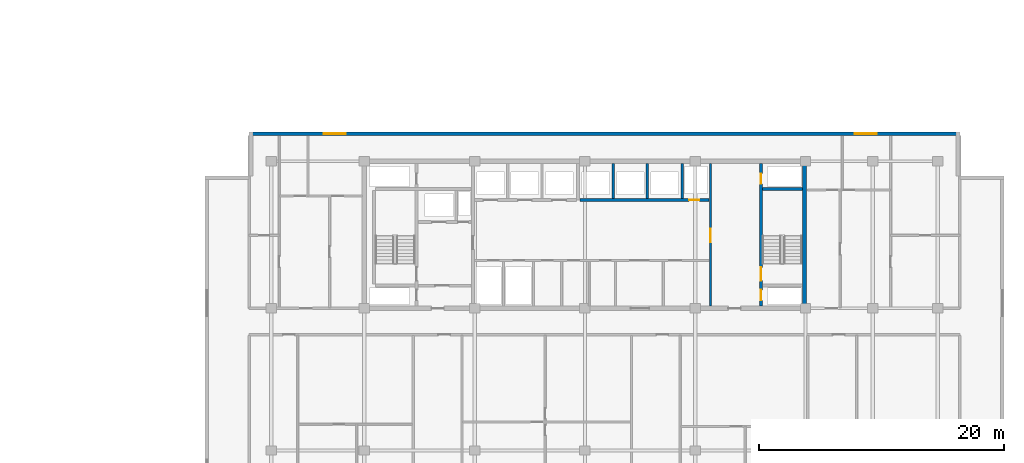
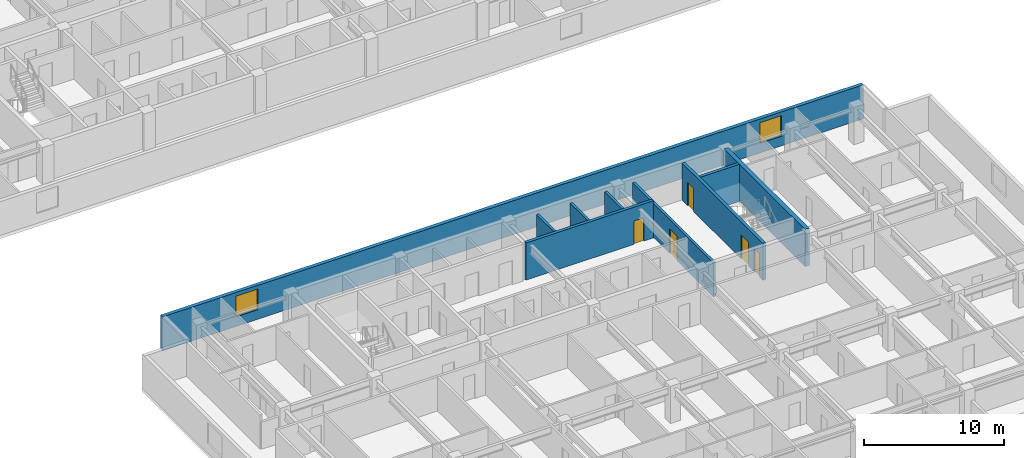
# One storey, part 8 of 22: 9 walls, 5 doors, 2 windows, 7 openings.
"""IFC4 building model written with IfcOpenShell, lengths in metres."""

from ifc_helpers import new_model, si_unit, direction, frame, frame_2d, origin, place, context, subcontext, project, spatial, rectangle, extrude, material, layer, layer_set, type_object, element, fill, save


model = new_model("IFC4")

# Units and contexts
model_context = context("Model", 3, precision=1e-05, world=origin(), true_north=direction((0.0, 1.0)))
body_context = subcontext(model_context, "Body", "Model", "MODEL_VIEW")
ifc_project = project(units=[si_unit("LENGTHUNIT", "METRE"), si_unit("AREAUNIT", "SQUARE_METRE"), si_unit("VOLUMEUNIT", "CUBIC_METRE"), si_unit("PLANEANGLEUNIT", "RADIAN"), si_unit("MASSUNIT", "GRAM", prefix="KILO")], contexts=[model_context])

# Site, building, storey
site_placement = place(None, origin())
site = spatial("IfcSite", under=ifc_project, at=site_placement, CompositionType="ELEMENT")
building_placement = place(site_placement, origin())
building = spatial("IfcBuilding", under=site, at=building_placement, Name="Korimba Cascade Residences", CompositionType="ELEMENT")
storey_placement = place(building_placement, frame((0.0, 0.0, 87.300048828125)))
storey = spatial("IfcBuildingStorey", under=building, at=storey_placement, Name="L24", CompositionType="ELEMENT", Elevation=87.300048828125)

# Wall, openings, windows
ifc_material_1 = material(Name="Precast concrete C40/50", Category="concrete")
ifc_layer_1 = layer(ifc_material_1, 0.300048828125)
ifc_layer_set_1 = layer_set([ifc_layer_1], Name="Precast concrete C40/50")
wall_type_1 = type_object("IfcWallType", Name="EW-STONE-300", PredefinedType="STANDARD", material=ifc_layer_set_1)
wall_1_placement = place(storey_placement, frame((130.699951171875, 32.64990234375, 0.0), z_axis=(0.0, 0.0, 1.0), x_axis=(-1.0, 0.0, 0.0)))
wall_1 = element("IfcWall", 1, at=wall_1_placement, inside=storey, type_object=wall_type_1, Name="L24 T2 Perimeter Stone Wall E06", PredefinedType="STANDARD", context=body_context, shape_type="SweptSolid", body=[
    extrude(rectangle(XDim=58.0, YDim=0.300048828125, at=frame_2d((29.0, 0.0))), origin(), (0.0, 0.0, 1.0), 2.969970703125),
])
opening_1_placement = place(wall_1_placement, frame((50.125, 0.0, 0.85009765625)))
opening_1 = element("IfcOpeningElement", 2, at=opening_1_placement, cuts=wall_1, Name="Opening W-02", PredefinedType="OPENING", context=body_context, shape_type="SweptSolid", body=[
    extrude(rectangle(XDim=1.800048828125, YDim=1.800048828125, at=frame_2d((0.89990234375, 0.89990234375))), frame((0.0, 0.16015625, 0.0), z_axis=(0.0, -1.0, 0.0), x_axis=(1.0, 0.0, 0.0)), (0.0, 0.0, 1.0), 0.320068359375),
])
opening_2_placement = place(wall_1_placement, frame((6.77490234375, 0.0, 0.85009765625)))
opening_2 = element("IfcOpeningElement", 3, at=opening_2_placement, cuts=wall_1, Name="Opening W-02", PredefinedType="OPENING", context=body_context, shape_type="SweptSolid", body=[
    extrude(rectangle(XDim=1.800048828125, YDim=1.800048828125, at=frame_2d((0.89990234375, 0.89990234375))), frame((0.0, 0.16015625, 0.0), z_axis=(0.0, -1.0, 0.0), x_axis=(1.0, 0.0, 0.0)), (0.0, 0.0, 1.0), 0.320068359375),
])
ifc_material_2 = material(Name="Double-Glazed Aluminium Window", Category="aluminium")
window_type = type_object("IfcWindowType", Name="WIN-BED-1800", PartitioningType="SINGLE_PANEL", PredefinedType="WINDOW", material=ifc_material_2)
window_1_placement = place(opening_1_placement, origin())
window_1 = element("IfcWindow", 4, at=window_1_placement, inside=storey, type_object=window_type, Name="L24 T2 North Corner Bedroom Window 1", OverallHeight=1.800048828125, OverallWidth=1.800048828125, PartitioningType="SINGLE_PANEL", PredefinedType="WINDOW", context=body_context, shape_type="SweptSolid", body=[
    extrude(rectangle(XDim=1.800048828125, YDim=1.800048828125, at=frame_2d((0.89990234375, 0.89990234375))), frame((0.0, 0.030029296875, 0.0), z_axis=(0.0, -1.0, 0.0), x_axis=(1.0, 0.0, 0.0)), (0.0, 0.0, 1.0), 0.06005859375),
])
fill(opening_1, window_1)
window_2_placement = place(opening_2_placement, origin())
window_2 = element("IfcWindow", 5, at=window_2_placement, inside=storey, type_object=window_type, Name="L24 T2 North Corner Bedroom Window 2", OverallHeight=1.800048828125, OverallWidth=1.800048828125, PartitioningType="SINGLE_PANEL", PredefinedType="WINDOW", context=body_context, shape_type="SweptSolid", body=[
    extrude(rectangle(XDim=1.800048828125, YDim=1.800048828125, at=frame_2d((0.89990234375, 0.89990234375))), frame((0.0, 0.030029296875, 0.0), z_axis=(0.0, -1.0, 0.0), x_axis=(1.0, 0.0, 0.0)), (0.0, 0.0, 1.0), 0.06005859375),
])
fill(opening_2, window_2)

# Walls
ifc_material_3 = material(Name="Concrete C65/80", Category="concrete")
ifc_layer_2 = layer(ifc_material_3, 0.35009765625)
ifc_layer_set_2 = layer_set([ifc_layer_2], Name="Concrete C65/80")
wall_type_2 = type_object("IfcWallType", Name="WAL-CORE-350", PredefinedType="SHEAR", material=ifc_layer_set_2)
wall_2_placement = place(storey_placement, frame((118.014892578125, 18.574951171875, 0.0), z_axis=(0.0, 0.0, 1.0), x_axis=(0.0, 1.0, 0.0)))
element("IfcWall", 6, at=wall_2_placement, inside=storey, type_object=wall_type_2, Name="L24 Core Shear Wall CW-L24-T2-E", PredefinedType="SHEAR", context=body_context, shape_type="SweptSolid", body=[
    extrude(rectangle(XDim=11.650146484375, YDim=0.35009765625, at=frame_2d((5.8251953125, 0.0))), origin(), (0.0, 0.0, 1.0), 3.25),
])
ifc_material_4 = material(Name="Concrete C40/50", Category="concrete")
ifc_layer_3 = layer(ifc_material_4, 0.199951171875)
ifc_layer_set_3 = layer_set([ifc_layer_3], Name="Concrete C40/50")
wall_type_3 = type_object("IfcWallType", Name="WAL-PART-200", PredefinedType="PARTITIONING", material=ifc_layer_set_3)
for number, where, z_axis, x_axis, name in (
    (7, (102.39990234375, 27.3798828125, 0.0), (0.0, 0.0, 1.0), (0.0, 1.0, 0.0), "L24 Partition Wall CW-L24-T2-B2D1"),
    (8, (105.199951171875, 27.3798828125, 0.0), (0.0, 0.0, 1.0), (0.0, 1.0, 0.0), "L24 Partition Wall CW-L24-T2-B2D2"),
    (9, (108.050048828125, 27.3798828125, 0.0), (0.0, 0.0, 1.0), (0.0, 1.0, 0.0), "L24 Partition Wall CW-L24-T2-B2D3"),
):
    element("IfcWall", number, at=place(storey_placement, frame(where, z_axis=z_axis, x_axis=x_axis)), inside=storey, type_object=wall_type_3, Name=name, PredefinedType="PARTITIONING", context=body_context, shape_type="SweptSolid", body=[
        extrude(rectangle(XDim=2.820068359375, YDim=0.199951171875, at=frame_2d((1.41015625, 0.0))), origin(), (0.0, 0.0, 1.0), 2.969970703125),
    ])

# Wall, opening, door
wall_3_placement = place(storey_placement, frame((110.35009765625, 18.60009765625, 0.0), z_axis=(0.0, 0.0, 1.0), x_axis=(0.0, 1.0, 0.0)))
wall_3 = element("IfcWall", 10, at=wall_3_placement, inside=storey, type_object=wall_type_3, Name="L24 Partition Wall CW-L24-T2-LLEV", PredefinedType="PARTITIONING", context=body_context, shape_type="SweptSolid", body=[
    extrude(rectangle(XDim=11.599853515625, YDim=0.199951171875, at=frame_2d((5.7998046875, 0.0))), origin(), (0.0, 0.0, 1.0), 2.969970703125),
])
opening_3_placement = place(wall_3_placement, frame((5.199951171875, 0.0, 0.0)))
opening_3 = element("IfcOpeningElement", 11, at=opening_3_placement, cuts=wall_3, Name="Opening D-FD6", PredefinedType="OPENING", context=body_context, shape_type="SweptSolid", body=[
    extrude(rectangle(XDim=1.10009765625, YDim=2.14990234375, at=frame_2d((0.550048828125, 1.074951171875))), frame((0.0, 0.10986328125, 0.0), z_axis=(0.0, -1.0, 0.0), x_axis=(1.0, 0.0, 0.0)), (0.0, 0.0, 1.0), 0.219970703125),
])
ifc_material_5 = material(Name="Fire-Rated Timber Stair Lobby Door", Category="wood")
door_type_1 = type_object("IfcDoorType", Name="DR-FD90-1100", OperationType="NOTDEFINED", PredefinedType="DOOR", material=ifc_material_5)
door_1_placement = place(opening_3_placement, origin())
door_1 = element("IfcDoor", 12, at=door_1_placement, inside=storey, type_object=door_type_1, Name="L24 T2 Lift Lobby to East Stair Lobby Door", OperationType="SINGLE_SWING_LEFT", OverallHeight=2.14990234375, OverallWidth=1.10009765625, PredefinedType="DOOR", context=body_context, shape_type="SweptSolid", body=[
    extrude(rectangle(XDim=1.10009765625, YDim=2.14990234375, at=frame_2d((0.550048828125, 1.074951171875))), frame((0.0, 0.02490234375, 0.0), z_axis=(0.0, -1.0, 0.0), x_axis=(1.0, 0.0, 0.0)), (0.0, 0.0, 1.0), 0.050048828125),
])
fill(opening_3, door_1)

ifc_material_6 = material(Name="Concrete C50/60", Category="concrete")
ifc_layer_4 = layer(ifc_material_6, 0.25)
ifc_layer_set_4 = layer_set([ifc_layer_4], Name="Concrete C50/60")
wall_type_4 = type_object("IfcWallType", Name="WAL-SHAFT-250", PredefinedType="SHEAR", material=ifc_layer_set_4)
wall_4_placement = place(storey_placement, frame((99.679931640625, 27.25, 0.0), z_axis=(0.0, 0.0, 1.0), x_axis=(1.0, 0.0, 0.0)))
wall_4 = element("IfcWall", 13, at=wall_4_placement, inside=storey, type_object=wall_type_4, Name="L24 Core Shear Wall CW-L24-T2-B2S", PredefinedType="SHEAR", context=body_context, shape_type="SweptSolid", body=[
    extrude(rectangle(XDim=10.5400390625, YDim=0.25, at=frame_2d((5.27001953125, 0.0))), origin(), (0.0, 0.0, 1.0), 3.25),
])
opening_4_placement = place(wall_4_placement, frame((8.919921875, 0.0, 0.0)))
opening_4 = element("IfcOpeningElement", 14, at=opening_4_placement, cuts=wall_4, Name="Opening D-RS1", PredefinedType="OPENING", context=body_context, shape_type="SweptSolid", body=[
    extrude(rectangle(XDim=0.85009765625, YDim=2.050048828125, at=frame_2d((0.425048828125, 1.02490234375))), frame((0.0, 0.135009765625, 0.0), z_axis=(0.0, -1.0, 0.0), x_axis=(1.0, 0.0, 0.0)), (0.0, 0.0, 1.0), 0.27001953125),
])
ifc_material_7 = material(Name="Fire-Rated Steel Riser Access Door", Category="steel")
door_type_2 = type_object("IfcDoorType", Name="DR-FD60-850", OperationType="NOTDEFINED", PredefinedType="DOOR", material=ifc_material_7)
door_2_placement = place(opening_4_placement, origin())
door_2 = element("IfcDoor", 15, at=door_2_placement, inside=storey, type_object=door_type_2, Name="L24 T2 Duct Door", OperationType="SINGLE_SWING_RIGHT", OverallHeight=2.050048828125, OverallWidth=0.85009765625, PredefinedType="DOOR", context=body_context, shape_type="SweptSolid", body=[
    extrude(rectangle(XDim=0.85009765625, YDim=2.050048828125, at=frame_2d((0.425048828125, 1.02490234375))), frame((0.0, 0.02490234375, 0.0), z_axis=(0.0, -1.0, 0.0), x_axis=(1.0, 0.0, 0.0)), (0.0, 0.0, 1.0), 0.050048828125),
])
fill(opening_4, door_2)

# Wall, openings, doors
wall_5_placement = place(storey_placement, frame((114.47509765625, 18.60009765625, 0.0), z_axis=(0.0, 0.0, 1.0), x_axis=(0.0, 1.0, 0.0)))
wall_5 = element("IfcWall", 16, at=wall_5_placement, inside=storey, type_object=wall_type_4, Name="L24 Core Shear Wall CW-L24-T2-STE2W", PredefinedType="SHEAR", context=body_context, shape_type="SweptSolid", body=[
    extrude(rectangle(XDim=11.599853515625, YDim=0.25, at=frame_2d((5.7998046875, 0.0))), origin(), (0.0, 0.0, 1.0), 3.25),
])
opening_5_placement = place(wall_5_placement, frame((0.449951171875, 0.0, 0.0)))
opening_5 = element("IfcOpeningElement", 17, at=opening_5_placement, cuts=wall_5, Name="Opening D-RS1", PredefinedType="OPENING", context=body_context, shape_type="SweptSolid", body=[
    extrude(rectangle(XDim=0.85009765625, YDim=2.050048828125, at=frame_2d((0.425048828125, 1.02490234375))), frame((0.0, 0.135009765625, 0.0), z_axis=(0.0, -1.0, 0.0), x_axis=(1.0, 0.0, 0.0)), (0.0, 0.0, 1.0), 0.27001953125),
])
opening_6_placement = place(wall_5_placement, frame((2.050048828125, 0.0, 0.0)))
opening_6 = element("IfcOpeningElement", 18, at=opening_6_placement, cuts=wall_5, Name="Opening D-FD1", PredefinedType="OPENING", context=body_context, shape_type="SweptSolid", body=[
    extrude(rectangle(XDim=1.10009765625, YDim=2.10009765625, at=frame_2d((0.550048828125, 1.050048828125))), frame((0.0, 0.135009765625, 0.0), z_axis=(0.0, -1.0, 0.0), x_axis=(1.0, 0.0, 0.0)), (0.0, 0.0, 1.0), 0.27001953125),
])
opening_7_placement = place(wall_5_placement, frame((9.949951171875, 0.0, 0.0)))
opening_7 = element("IfcOpeningElement", 19, at=opening_7_placement, cuts=wall_5, Name="Opening D-RS1", PredefinedType="OPENING", context=body_context, shape_type="SweptSolid", body=[
    extrude(rectangle(XDim=0.85009765625, YDim=2.050048828125, at=frame_2d((0.425048828125, 1.02490234375))), frame((0.0, 0.135009765625, 0.0), z_axis=(0.0, -1.0, 0.0), x_axis=(1.0, 0.0, 0.0)), (0.0, 0.0, 1.0), 0.27001953125),
])
ifc_material_8 = material(Name="Fire-Rated Steel Core Door", Category="steel")
door_type_3 = type_object("IfcDoorType", Name="DR-FD120-1100", OperationType="NOTDEFINED", PredefinedType="DOOR", material=ifc_material_8)
door_3_placement = place(opening_6_placement, origin())
door_3 = element("IfcDoor", 20, at=door_3_placement, inside=storey, type_object=door_type_3, Name="L24 Fire Stair ST-E2 Door", OperationType="SINGLE_SWING_LEFT", OverallHeight=2.10009765625, OverallWidth=1.10009765625, PredefinedType="DOOR", context=body_context, shape_type="SweptSolid", body=[
    extrude(rectangle(XDim=1.10009765625, YDim=2.10009765625, at=frame_2d((0.550048828125, 1.050048828125))), frame((0.0, 0.02490234375, 0.0), z_axis=(0.0, -1.0, 0.0), x_axis=(1.0, 0.0, 0.0)), (0.0, 0.0, 1.0), 0.050048828125),
])
fill(opening_6, door_3)
door_4_placement = place(opening_5_placement, origin())
door_4 = element("IfcDoor", 21, at=door_4_placement, inside=storey, type_object=door_type_2, Name="L24 T2 East Hydrant Door", OperationType="SINGLE_SWING_RIGHT", OverallHeight=2.050048828125, OverallWidth=0.85009765625, PredefinedType="DOOR", context=body_context, shape_type="SweptSolid", body=[
    extrude(rectangle(XDim=0.85009765625, YDim=2.050048828125, at=frame_2d((0.425048828125, 1.02490234375))), frame((0.0, 0.02490234375, 0.0), z_axis=(0.0, -1.0, 0.0), x_axis=(1.0, 0.0, 0.0)), (0.0, 0.0, 1.0), 0.050048828125),
])
fill(opening_5, door_4)
door_5_placement = place(opening_7_placement, origin())
door_5 = element("IfcDoor", 22, at=door_5_placement, inside=storey, type_object=door_type_2, Name="L24 T2 East Riser Door", OperationType="SINGLE_SWING_RIGHT", OverallHeight=2.050048828125, OverallWidth=0.85009765625, PredefinedType="DOOR", context=body_context, shape_type="SweptSolid", body=[
    extrude(rectangle(XDim=0.85009765625, YDim=2.050048828125, at=frame_2d((0.425048828125, 1.02490234375))), frame((0.0, 0.02490234375, 0.0), z_axis=(0.0, -1.0, 0.0), x_axis=(1.0, 0.0, 0.0)), (0.0, 0.0, 1.0), 0.050048828125),
])
fill(opening_7, door_5)

# Wall
wall_6_placement = place(storey_placement, frame((114.60009765625, 28.125, 0.0), z_axis=(0.0, 0.0, 1.0), x_axis=(1.0, 0.0, 0.0)))
element("IfcWall", 23, at=wall_6_placement, inside=storey, type_object=wall_type_4, Name="L24 Core Shear Wall CW-L24-T2-STE2N", PredefinedType="SHEAR", context=body_context, shape_type="SweptSolid", body=[
    extrude(rectangle(XDim=3.239990234375, YDim=0.25, at=frame_2d((1.6201171875, 0.0))), origin(), (0.0, 0.0, 1.0), 3.25),
])

save(model, "model.ifc")
